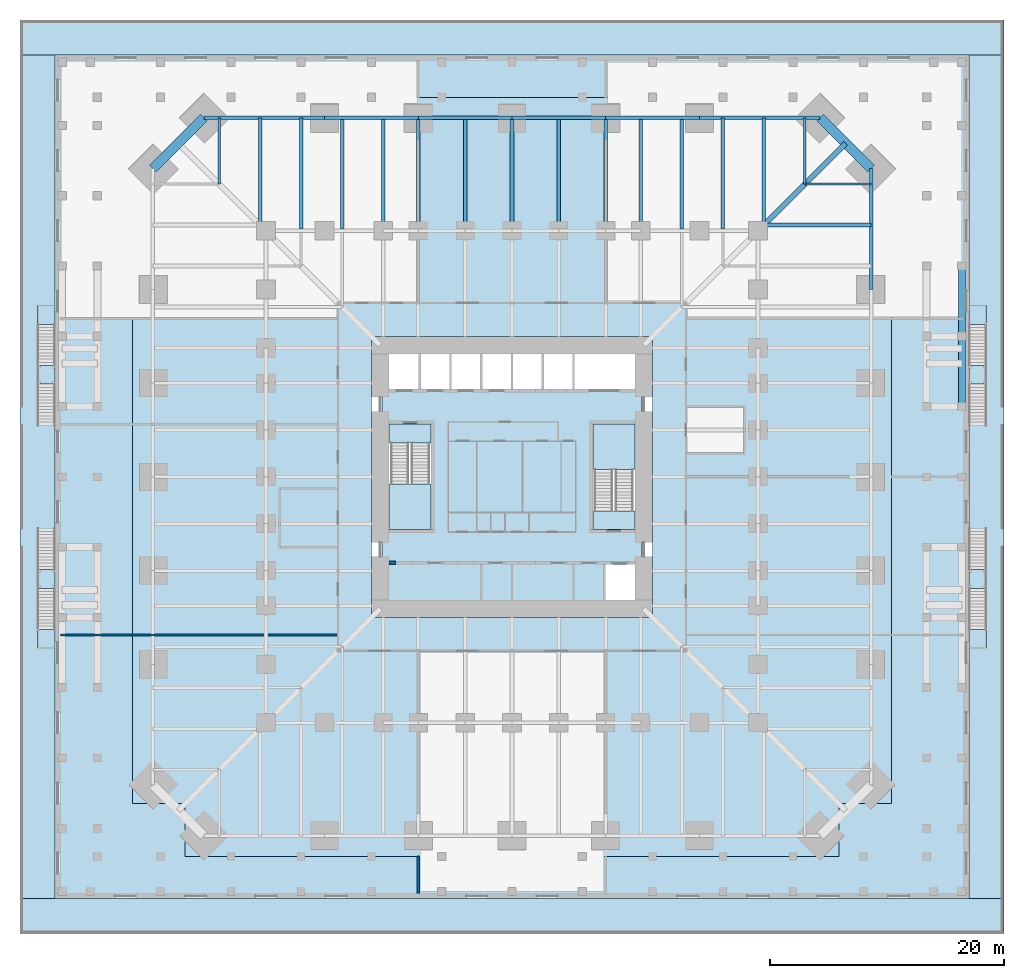
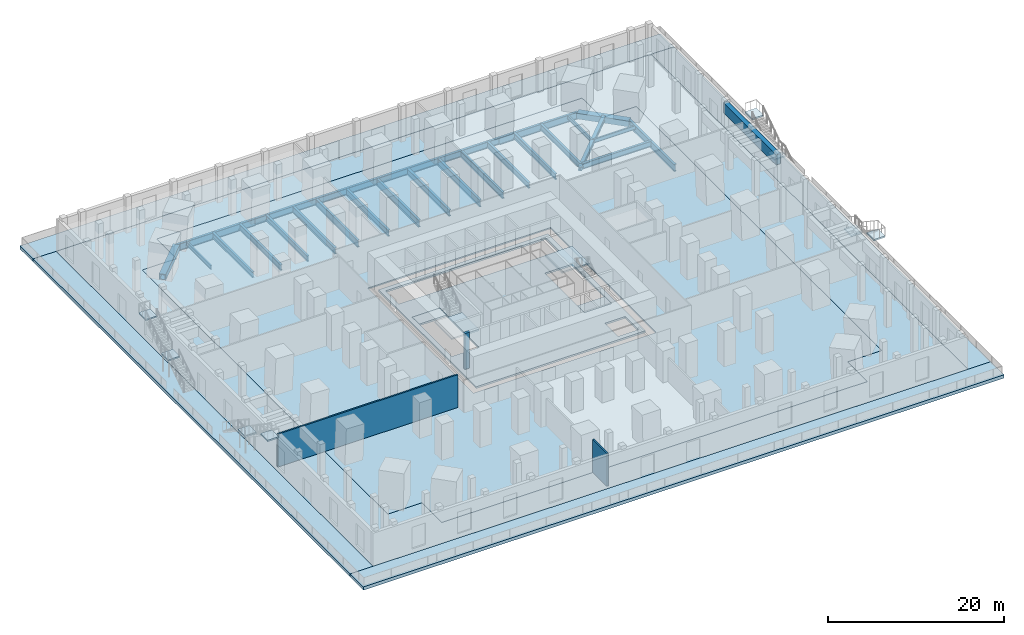
# One storey, part 10 of 22: 28 beams, 19 slabs, 3 walls, 6 elements without a shape of their own.
"""IFC4 building model written with IfcOpenShell, lengths in metres."""

from ifc_helpers import new_model, si_unit, direction, frame, frame_2d, origin, origin_2d, place, context, subcontext, project, spatial, polyline, rectangle, hollow_rectangle, i_section, outline, extrude, boolean, material, layer, layer_set, material_profile, profile_set, type_object, element, aggregate, save


model = new_model("IFC4")

# Units and contexts
model_context = context("Model", 3, precision=1e-05, world=origin(), true_north=direction((0.0, 1.0)))
body_context = subcontext(model_context, "Body", "Model", "MODEL_VIEW")
ifc_project = project(units=[si_unit("LENGTHUNIT", "METRE"), si_unit("AREAUNIT", "SQUARE_METRE"), si_unit("VOLUMEUNIT", "CUBIC_METRE"), si_unit("PLANEANGLEUNIT", "RADIAN"), si_unit("MASSUNIT", "GRAM", prefix="KILO")], contexts=[model_context])

# Site, building, storey
site_placement = place(None, origin())
site = spatial("IfcSite", under=ifc_project, at=site_placement, CompositionType="ELEMENT")
building_placement = place(site_placement, origin())
building = spatial("IfcBuilding", under=site, at=building_placement, Name="Peilmerk Tower", CompositionType="ELEMENT")
storey_placement = place(building_placement, frame((0.0, 0.0, 6.0)))
storey = spatial("IfcBuildingStorey", under=building, at=storey_placement, Name="L01", CompositionType="ELEMENT", Elevation=6.0)

# Beams
ifc_material_1 = material(Name="Steel S355", Category="steel")
ifc_material_profile_1 = material_profile(ifc_material_1, i_section(OverallWidth=0.2099609375, OverallDepth=0.550048828125, WebThickness=0.010986328125, FlangeThickness=0.01708984375, at=origin_2d()), Name="IPE 550")
ifc_profile_set_1 = profile_set([ifc_material_profile_1], Name="Steel S355")
beam_type_1 = type_object("IfcBeamType", Name="B12 IPE 550 floor beam", PredefinedType="BEAM", material=ifc_profile_set_1)
for number, where, z_axis, x_axis, name in (
    (1, (25.0, 25.0, -0.47509765625), (0.0, 1.0, 0.0), (-1.0, 0.0, 0.0), "Floor beam L01"),
    (2, (25.0, 25.0, -0.47509765625), (1.0, 0.0, 0.0), (0.0, 1.0, 0.0), "Floor beam L01"),
    (3, (-25.0, 25.0, -0.47509765625), (0.0, 1.0, 0.0), (-1.0, 0.0, 0.0), "Floor beam L01"),
):
    element("IfcBeam", number, at=place(storey_placement, frame(where, z_axis=z_axis, x_axis=x_axis)), inside=storey, type_object=beam_type_1, Name=name, PredefinedType="BEAM", context=body_context, shape_type="SweptSolid", body=[
        extrude(i_section(OverallWidth=0.2099609375, OverallDepth=0.550048828125, WebThickness=0.010986328125, FlangeThickness=0.01708984375, at=origin_2d()), origin(), (0.0, 0.0, 1.0), 5.65478515625),
    ])
ifc_material_profile_2 = material_profile(ifc_material_1, i_section(OverallWidth=0.300048828125, OverallDepth=1.0, WebThickness=0.01904296875, FlangeThickness=0.035888671875, at=origin_2d()), Name="HEB 1000")
ifc_profile_set_2 = profile_set([ifc_material_profile_2], Name="Steel S355")
beam_type_2 = type_object("IfcBeamType", Name="B13 HEB 1000 edge beam", PredefinedType="SPANDREL", material=ifc_profile_set_2)
for number, where, z_axis, x_axis, name in (
    (4, (26.304931640625, 30.65478515625, -0.699951171875), (-1.0, 0.0, 0.0), (0.0, -1.0, 0.0), "Edge beam L01"),
    (5, (-16.0, 30.65478515625, -0.699951171875), (-1.0, 0.0, 0.0), (0.0, -1.0, 0.0), "Edge beam L01"),
    (6, (30.65478515625, 16.0, -0.699951171875), (0.0, 1.0, 0.0), (-1.0, 0.0, 0.0), "Edge beam L01"),
):
    element("IfcBeam", number, at=place(storey_placement, frame(where, z_axis=z_axis, x_axis=x_axis)), inside=storey, type_object=beam_type_2, Name=name, PredefinedType="SPANDREL", context=body_context, shape_type="SweptSolid", body=[
        extrude(i_section(OverallWidth=0.300048828125, OverallDepth=1.0, WebThickness=0.01904296875, FlangeThickness=0.035888671875, at=origin_2d()), origin(), (0.0, 0.0, 1.0), 10.304931640625),
    ])
ifc_material_profile_3 = material_profile(ifc_material_1, i_section(OverallWidth=0.300048828125, OverallDepth=0.989990234375, WebThickness=0.0166015625, FlangeThickness=0.031005859375, at=origin_2d()), Name="HEA 1000")
ifc_profile_set_3 = profile_set([ifc_material_profile_3], Name="Steel S355")
beam_type_3 = type_object("IfcBeamType", Name="B14 HEA 1000 floor girder", PredefinedType="BEAM", material=ifc_profile_set_3)
for number, where, z_axis, x_axis, name in (
    (7, (8.0, 21.0, -0.695068359375), (0.0, 1.0, 0.0), (-1.0, 0.0, 0.0), "Floor girder L01"),
    (8, (0.0, 21.0, -0.695068359375), (0.0, 1.0, 0.0), (-1.0, 0.0, 0.0), "Floor girder L01"),
    (9, (-8.0, 21.0, -0.695068359375), (0.0, 1.0, 0.0), (-1.0, 0.0, 0.0), "Floor girder L01"),
):
    element("IfcBeam", number, at=place(storey_placement, frame(where, z_axis=z_axis, x_axis=x_axis)), inside=storey, type_object=beam_type_3, Name=name, PredefinedType="BEAM", context=body_context, shape_type="SweptSolid", body=[
        extrude(i_section(OverallWidth=0.300048828125, OverallDepth=0.989990234375, WebThickness=0.0166015625, FlangeThickness=0.031005859375, at=origin_2d()), origin(), (0.0, 0.0, 1.0), 9.65478515625),
    ])
ifc_material_profile_4 = material_profile(ifc_material_1, i_section(OverallWidth=0.302001953125, OverallDepth=0.909912109375, WebThickness=0.02099609375, FlangeThickness=0.0400390625, at=origin_2d()), Name="HEM 900")
ifc_profile_set_4 = profile_set([ifc_material_profile_4], Name="Steel S355")
beam_type_4 = type_object("IfcBeamType", Name="B2 HEM 900 edge beam", PredefinedType="SPANDREL", material=ifc_profile_set_4)
for number, where, z_axis, x_axis, name in (
    (10, (16.0, 30.65478515625, -0.655029296875), (-1.0, 0.0, 0.0), (0.0, -1.0, 0.0), "Edge beam L01"),
    (11, (8.0, 30.65478515625, -0.655029296875), (-1.0, 0.0, 0.0), (0.0, -1.0, 0.0), "Edge beam L01"),
    (12, (0.0, 30.65478515625, -0.655029296875), (-1.0, 0.0, 0.0), (0.0, -1.0, 0.0), "Edge beam L01"),
    (13, (-8.0, 30.65478515625, -0.655029296875), (-1.0, 0.0, 0.0), (0.0, -1.0, 0.0), "Edge beam L01"),
):
    element("IfcBeam", number, at=place(storey_placement, frame(where, z_axis=z_axis, x_axis=x_axis)), inside=storey, type_object=beam_type_4, Name=name, PredefinedType="SPANDREL", context=body_context, shape_type="SweptSolid", body=[
        extrude(i_section(OverallWidth=0.302001953125, OverallDepth=0.909912109375, WebThickness=0.02099609375, FlangeThickness=0.0400390625, at=origin_2d()), origin(), (0.0, 0.0, 1.0), 8.0),
    ])
ifc_material_profile_5 = material_profile(ifc_material_1, i_section(OverallWidth=0.300048828125, OverallDepth=0.7900390625, WebThickness=0.014892578125, FlangeThickness=0.028076171875, at=origin_2d()), Name="HEA 800")
ifc_profile_set_5 = profile_set([ifc_material_profile_5], Name="Steel S355")
beam_type_5 = type_object("IfcBeamType", Name="B3 HEA 800 floor beam", PredefinedType="BEAM", material=ifc_profile_set_5)
for number, where, z_axis, x_axis, name in (
    (14, (14.5, 21.152587890625, -0.594970703125), (0.0, 1.0, 0.0), (-1.0, 0.0, 0.0), "Floor beam L01"),
    (15, (18.0, 21.152587890625, -0.594970703125), (0.0, 1.0, 0.0), (-1.0, 0.0, 0.0), "Floor beam L01"),
):
    element("IfcBeam", number, at=place(storey_placement, frame(where, z_axis=z_axis, x_axis=x_axis)), inside=storey, type_object=beam_type_5, Name=name, PredefinedType="BEAM", context=body_context, shape_type="SweptSolid", body=[
        extrude(i_section(OverallWidth=0.300048828125, OverallDepth=0.7900390625, WebThickness=0.014892578125, FlangeThickness=0.028076171875, at=origin_2d()), origin(), (0.0, 0.0, 1.0), 9.502197265625),
    ])
for number, where, z_axis, x_axis, name in (
    (16, (21.5, 21.5, -0.594970703125), (0.0, 1.0, 0.0), (-1.0, 0.0, 0.0), "Floor beam L01"),
    (17, (21.5, 21.5, -0.594970703125), (1.0, 0.0, 0.0), (0.0, 1.0, 0.0), "Floor beam L01"),
):
    element("IfcBeam", number, at=place(storey_placement, frame(where, z_axis=z_axis, x_axis=x_axis)), inside=storey, type_object=beam_type_5, Name=name, PredefinedType="BEAM", context=body_context, shape_type="SweptSolid", body=[
        extrude(i_section(OverallWidth=0.300048828125, OverallDepth=0.7900390625, WebThickness=0.014892578125, FlangeThickness=0.028076171875, at=origin_2d()), origin(), (0.0, 0.0, 1.0), 9.15478515625),
    ])
for number, where, z_axis, x_axis, name in (
    (18, (-14.5, 21.152587890625, -0.594970703125), (0.0, 1.0, 0.0), (-1.0, 0.0, 0.0), "Floor beam L01"),
    (19, (-18.0, 21.152587890625, -0.594970703125), (0.0, 1.0, 0.0), (-1.0, 0.0, 0.0), "Floor beam L01"),
):
    element("IfcBeam", number, at=place(storey_placement, frame(where, z_axis=z_axis, x_axis=x_axis)), inside=storey, type_object=beam_type_5, Name=name, PredefinedType="BEAM", context=body_context, shape_type="SweptSolid", body=[
        extrude(i_section(OverallWidth=0.300048828125, OverallDepth=0.7900390625, WebThickness=0.014892578125, FlangeThickness=0.028076171875, at=origin_2d()), origin(), (0.0, 0.0, 1.0), 9.502197265625),
    ])
beam_1_placement = place(storey_placement, frame((-21.5, 21.5, -0.594970703125), z_axis=(0.0, 1.0, 0.0), x_axis=(-1.0, 0.0, 0.0)))
element("IfcBeam", 20, at=beam_1_placement, inside=storey, type_object=beam_type_5, Name="Floor beam L01", PredefinedType="BEAM", context=body_context, shape_type="SweptSolid", body=[
    extrude(i_section(OverallWidth=0.300048828125, OverallDepth=0.7900390625, WebThickness=0.014892578125, FlangeThickness=0.028076171875, at=origin_2d()), origin(), (0.0, 0.0, 1.0), 9.15478515625),
])
ifc_material_profile_6 = material_profile(ifc_material_1, i_section(OverallWidth=0.300048828125, OverallDepth=0.889892578125, WebThickness=0.01611328125, FlangeThickness=0.030029296875, at=origin_2d()), Name="HEA 900")
ifc_profile_set_6 = profile_set([ifc_material_profile_6], Name="Steel S355")
beam_type_6 = type_object("IfcBeamType", Name="B4 HEA 900 floor beam", PredefinedType="BEAM", material=ifc_profile_set_6)
for number, where, z_axis, x_axis, name in (
    (21, (11.0, 21.0, -0.64501953125), (0.0, 1.0, 0.0), (-1.0, 0.0, 0.0), "Floor beam L01"),
    (22, (4.0, 21.0, -0.64501953125), (0.0, 1.0, 0.0), (-1.0, 0.0, 0.0), "Floor beam L01"),
    (23, (-4.0, 21.0, -0.64501953125), (0.0, 1.0, 0.0), (-1.0, 0.0, 0.0), "Floor beam L01"),
    (24, (-11.0, 21.0, -0.64501953125), (0.0, 1.0, 0.0), (-1.0, 0.0, 0.0), "Floor beam L01"),
):
    element("IfcBeam", number, at=place(storey_placement, frame(where, z_axis=z_axis, x_axis=x_axis)), inside=storey, type_object=beam_type_6, Name=name, PredefinedType="BEAM", context=body_context, shape_type="SweptSolid", body=[
        extrude(i_section(OverallWidth=0.300048828125, OverallDepth=0.889892578125, WebThickness=0.01611328125, FlangeThickness=0.030029296875, at=origin_2d()), origin(), (0.0, 0.0, 1.0), 9.65478515625),
    ])
ifc_material_2 = material(Name="Steel S460", Category="steel")
ifc_material_profile_7 = material_profile(ifc_material_2, hollow_rectangle(XDim=0.800048828125, YDim=0.800048828125, WallThickness=0.080078125, at=origin_2d()), Name="BOX 800x800x80")
ifc_profile_set_7 = profile_set([ifc_material_profile_7], Name="Steel S460")
beam_type_7 = type_object("IfcBeamType", Name="B8 BOX 800x800x80 notch beam", PredefinedType="SPANDREL", material=ifc_profile_set_7)
for number, where, z_axis, x_axis, name in (
    (25, (26.304931640625, 30.65478515625, -0.60009765625), (0.707106781187, -0.707106781187, 0.0), (0.707106781187, 0.707106781187, 0.0), "Notch beam L01"),
    (26, (-30.65478515625, 26.304931640625, -0.60009765625), (0.707106781187, 0.707106781187, 0.0), (-0.707106781187, 0.707106781187, 0.0), "Notch beam L01"),
):
    element("IfcBeam", number, at=place(storey_placement, frame(where, z_axis=z_axis, x_axis=x_axis)), inside=storey, type_object=beam_type_7, Name=name, PredefinedType="SPANDREL", context=body_context, shape_type="SweptSolid", body=[
        extrude(hollow_rectangle(XDim=0.800048828125, YDim=0.800048828125, WallThickness=0.080078125, at=origin_2d()), origin(), (0.0, 0.0, 1.0), 6.151611328125),
    ])
ifc_material_profile_8 = material_profile(ifc_material_2, i_section(OverallWidth=0.4541015625, OverallDepth=0.569091796875, WebThickness=0.077880859375, FlangeThickness=0.125, at=origin_2d()), Name="HD 400x1086")
ifc_profile_set_8 = profile_set([ifc_material_profile_8], Name="Steel S460")
beam_type_8 = type_object("IfcBeamType", Name="B9 HD 400x1086 corner girder", PredefinedType="BEAM", material=ifc_profile_set_8)
beam_2_placement = place(storey_placement, frame((21.0, 21.0, -0.484619140625), z_axis=(0.707106781187, 0.707106781187, 0.0), x_axis=(-0.707106781187, 0.707106781187, 0.0)))
element("IfcBeam", 27, at=beam_2_placement, inside=storey, type_object=beam_type_8, Name="Corner girder L01", PredefinedType="BEAM", context=body_context, shape_type="SweptSolid", body=[
    extrude(i_section(OverallWidth=0.4541015625, OverallDepth=0.569091796875, WebThickness=0.077880859375, FlangeThickness=0.125, at=origin_2d()), origin(), (0.0, 0.0, 1.0), 10.577880859375),
])
ifc_material_3 = material(Name="Concrete C35/45", Category="concrete")
ifc_material_profile_9 = material_profile(ifc_material_3, rectangle(XDim=0.60009765625, YDim=1.39990234375, at=origin_2d()), Name="RC 600x1400")
ifc_profile_set_9 = profile_set([ifc_material_profile_9], Name="Concrete C35/45")
beam_type_9 = type_object("IfcBeamType", Name="TB1 600x1400 stair transfer beam", PredefinedType="BEAM", material=ifc_profile_set_9)
beam_3_placement = place(storey_placement, frame((38.39990234375, 6.0, 3.85009765625), z_axis=(0.0, 1.0, 0.0), x_axis=(-1.0, 0.0, 0.0)))
element("IfcBeam", 28, at=beam_3_placement, inside=storey, type_object=beam_type_9, Name="External stair 3 transfer beam", PredefinedType="BEAM", context=body_context, shape_type="SweptSolid", body=[
    extrude(rectangle(XDim=0.60009765625, YDim=1.39990234375, at=origin_2d()), origin(), (0.0, 0.0, 1.0), 12.0),
])

# Slabs
ifc_material_4 = material(Name="Concrete C55/67", Category="concrete")
ifc_layer_1 = layer(ifc_material_4, 0.25)
ifc_layer_set_1 = layer_set([ifc_layer_1], Name="Concrete C55/67")
slab_type_1 = type_object("IfcSlabType", Name="CS250 250 core floor slab", PredefinedType="FLOOR", material=ifc_layer_set_1)
slab_1_placement = place(storey_placement, frame((0.0, 0.0, -0.25)))
element("IfcSlab", 29, at=slab_1_placement, inside=storey, type_object=slab_type_1, Name="Core slab L01", PredefinedType="FLOOR", context=body_context, shape_type="SweptSolid", body=[
    extrude(outline(polyline([(-11.10009765625, 11.10009765625), (-11.10009765625, -11.10009765625), (11.10009765625, -11.10009765625), (11.10009765625, 11.10009765625), (-11.10009765625, 11.10009765625)]), holes=[polyline([(10.5, 7.5), (-10.5, 7.5), (-10.5, 10.5), (10.5, 10.5), (10.5, 7.5)]), polyline([(7.875, -10.5), (7.875, -7.5), (10.5, -7.5), (10.5, -10.5), (7.875, -10.5)]), polyline([(-10.5, 4.5), (-6.89990234375, 4.5), (-6.89990234375, -4.5), (-10.5, -4.5), (-10.5, 4.5)]), polyline([(10.5, 4.5), (10.5, -4.5), (6.89990234375, -4.5), (6.89990234375, 4.5), (10.5, 4.5)])]), origin(), (0.0, 0.0, 1.0), 0.25),
])
ifc_layer_2 = layer(ifc_material_3, 0.199951171875)
ifc_layer_set_2 = layer_set([ifc_layer_2], Name="Concrete C35/45")
slab_type_2 = type_object("IfcSlabType", Name="FS200 200 composite floor slab", PredefinedType="FLOOR", material=ifc_layer_set_2)
slab_2_placement = place(storey_placement, frame((0.0, 0.0, -0.199951171875)))
element("IfcSlab", 30, at=slab_2_placement, inside=storey, type_object=slab_type_2, Name="Floor slab L01", PredefinedType="FLOOR", context=body_context, shape_type="SweptSolid", body=[
    extrude(outline(polyline([(-27.89990234375, -32.39990234375), (27.89990234375, -32.39990234375), (27.89990234375, -27.89990234375), (32.39990234375, -27.89990234375), (32.39990234375, 27.89990234375), (27.89990234375, 27.89990234375), (27.89990234375, 32.39990234375), (-27.89990234375, 32.39990234375), (-27.89990234375, 27.89990234375), (-32.39990234375, 27.89990234375), (-32.39990234375, -27.89990234375), (-27.89990234375, -27.89990234375), (-27.89990234375, -32.39990234375)]), holes=[polyline([(12.0, 12.0), (12.0, -12.0), (-12.0, -12.0), (-12.0, 12.0), (12.0, 12.0)])]), origin(), (0.0, 0.0, 1.0), 0.199951171875),
])
ifc_layer_3 = layer(ifc_material_3, 0.449951171875)
ifc_layer_set_3 = layer_set([ifc_layer_3], Name="Concrete C35/45")
slab_type_3 = type_object("IfcSlabType", Name="PS450 450 podium flat slab", PredefinedType="FLOOR", material=ifc_layer_set_3)
slab_3_placement = place(storey_placement, frame((0.0, 0.0, -0.449951171875)))
element("IfcSlab", 31, at=slab_3_placement, inside=storey, type_object=slab_type_3, Name="Podium slab L01", PredefinedType="FLOOR", context=body_context, shape_type="CSG", body=[
    boolean("DIFFERENCE", boolean("DIFFERENCE", boolean("DIFFERENCE", boolean("DIFFERENCE", extrude(outline(polyline([(-39.0, 36.0), (-39.0, -36.0), (39.0, -36.0), (39.0, 36.0), (-39.0, 36.0)]), holes=[polyline([(27.89990234375, -27.89990234375), (27.89990234375, -32.39990234375), (-27.89990234375, -32.39990234375), (-27.89990234375, -27.89990234375), (-32.39990234375, -27.89990234375), (-32.39990234375, 27.89990234375), (-27.89990234375, 27.89990234375), (-27.89990234375, 32.39990234375), (27.89990234375, 32.39990234375), (27.89990234375, 27.89990234375), (32.39990234375, 27.89990234375), (32.39990234375, -27.89990234375), (27.89990234375, -27.89990234375)])]), origin(), (0.0, 0.0, 1.0), 0.449951171875), extrude(outline(polyline([(28.493896484375, 27.89990234375), (27.89990234375, 28.493896484375), (27.89990234375, 29.62548828125), (29.62548828125, 27.89990234375), (28.493896484375, 27.89990234375)])), frame((0.0, 0.0, -0.010009765625)), (0.0, 0.0, 1.0), 0.260009765625)), extrude(outline(polyline([(29.62548828125, -27.89990234375), (27.89990234375, -29.62548828125), (27.89990234375, -28.493896484375), (28.493896484375, -27.89990234375), (29.62548828125, -27.89990234375)])), frame((0.0, 0.0, -0.010009765625)), (0.0, 0.0, 1.0), 0.260009765625)), extrude(outline(polyline([(-28.493896484375, -27.89990234375), (-27.89990234375, -28.493896484375), (-27.89990234375, -29.62548828125), (-29.62548828125, -27.89990234375), (-28.493896484375, -27.89990234375)])), frame((0.0, 0.0, -0.010009765625)), (0.0, 0.0, 1.0), 0.260009765625)), extrude(outline(polyline([(-27.89990234375, 28.493896484375), (-28.493896484375, 27.89990234375), (-29.62548828125, 27.89990234375), (-27.89990234375, 29.62548828125), (-27.89990234375, 28.493896484375)])), frame((0.0, 0.0, -0.010009765625)), (0.0, 0.0, 1.0), 0.260009765625)),
])

# Stair, slab
ifc_material_5 = material(Name="Precast concrete C45/55", Category="concrete")
stair_type_1 = type_object("IfcStairType", Name="ST1 28 risers of 178.6", PredefinedType="HALF_TURN_STAIR", material=ifc_material_5)
stair_1_placement = place(storey_placement, origin())
stair_1 = element("IfcStair", 32, at=stair_1_placement, inside=storey, type_object=stair_type_1, Name="Stair 1 L01 to L02", PredefinedType="HALF_TURN_STAIR")
ifc_layer_4 = layer(ifc_material_3, 0.199951171875)
ifc_layer_set_4 = layer_set([ifc_layer_4], Name="Concrete C35/45")
slab_type_4 = type_object("IfcSlabType", Name="SL1 200 concrete stair landing", PredefinedType="LANDING", material=ifc_layer_set_4)
slab_4_placement = place(storey_placement, frame((0.0, 0.0, 2.300048828125)))
slab_4 = element("IfcSlab", 33, at=slab_4_placement, type_object=slab_type_4, Name="ST1 landing 1", PredefinedType="LANDING", context=body_context, shape_type="SweptSolid", body=[
    extrude(outline(polyline([(-10.5, -4.5), (-6.89990234375, -4.5), (-6.89990234375, -0.610107421875), (-10.5, -0.610107421875), (-10.5, -4.5)])), origin(), (0.0, 0.0, 1.0), 0.199951171875),
])

stair_type_2 = type_object("IfcStairType", Name="ST2 28 risers of 178.6", PredefinedType="HALF_TURN_STAIR", material=ifc_material_5)
stair_2_placement = place(storey_placement, origin())
stair_2 = element("IfcStair", 34, at=stair_2_placement, inside=storey, type_object=stair_type_2, Name="Stair 2 L01 to L02", PredefinedType="HALF_TURN_STAIR")
slab_5_placement = place(storey_placement, frame((0.0, 0.0, 2.300048828125)))
slab_5 = element("IfcSlab", 35, at=slab_5_placement, type_object=slab_type_4, Name="ST2 landing 1", PredefinedType="LANDING", context=body_context, shape_type="SweptSolid", body=[
    extrude(outline(polyline([(6.89990234375, 0.610107421875), (10.5, 0.610107421875), (10.5, 4.5), (6.89990234375, 4.5), (6.89990234375, 0.610107421875)])), origin(), (0.0, 0.0, 1.0), 0.199951171875),
])

# Stair, slabs
stair_type_3 = type_object("IfcStairType", Name="ST3 28 risers of 178.6, two straight flights", PredefinedType="TWO_STRAIGHT_RUN_STAIR", material=ifc_material_5)
stair_3_placement = place(storey_placement, origin())
stair_3 = element("IfcStair", 36, at=stair_3_placement, inside=storey, type_object=stair_type_3, Name="External stair 3 L01 to L02", PredefinedType="TWO_STRAIGHT_RUN_STAIR")
slab_6_placement = place(storey_placement, frame((0.0, 0.0, 2.300048828125)))
slab_6 = element("IfcSlab", 37, at=slab_6_placement, type_object=slab_type_4, Name="ST3 landing 1", PredefinedType="LANDING", context=body_context, shape_type="SweptSolid", body=[
    extrude(outline(polyline([(39.0, 7.909912109375), (40.5, 7.909912109375), (40.5, 9.510009765625), (39.0, 9.510009765625), (39.0, 7.909912109375)])), origin(), (0.0, 0.0, 1.0), 0.199951171875),
])
slab_7_placement = place(storey_placement, frame((0.0, 0.0, 4.800048828125)))
slab_7 = element("IfcSlab", 38, at=slab_7_placement, type_object=slab_type_4, Name="ST3 landing 2", PredefinedType="LANDING", context=body_context, shape_type="SweptSolid", body=[
    extrude(outline(polyline([(39.0, 13.02001953125), (40.5, 13.02001953125), (40.5, 14.6201171875), (39.0, 14.6201171875), (39.0, 13.02001953125)])), origin(), (0.0, 0.0, 1.0), 0.199951171875),
])
aggregate(stair_3, [slab_6, slab_7])

stair_type_4 = type_object("IfcStairType", Name="ST4 28 risers of 178.6, two straight flights", PredefinedType="TWO_STRAIGHT_RUN_STAIR", material=ifc_material_5)
stair_4_placement = place(storey_placement, origin())
stair_4 = element("IfcStair", 39, at=stair_4_placement, inside=storey, type_object=stair_type_4, Name="External stair 4 L01 to L02", PredefinedType="TWO_STRAIGHT_RUN_STAIR")
slab_8_placement = place(storey_placement, frame((0.0, 0.0, 2.300048828125)))
slab_8 = element("IfcSlab", 40, at=slab_8_placement, type_object=slab_type_4, Name="ST4 landing 1", PredefinedType="LANDING", context=body_context, shape_type="SweptSolid", body=[
    extrude(outline(polyline([(39.0, -9.510009765625), (40.5, -9.510009765625), (40.5, -7.909912109375), (39.0, -7.909912109375), (39.0, -9.510009765625)])), origin(), (0.0, 0.0, 1.0), 0.199951171875),
])
slab_9_placement = place(storey_placement, frame((0.0, 0.0, 4.800048828125)))
slab_9 = element("IfcSlab", 41, at=slab_9_placement, type_object=slab_type_4, Name="ST4 landing 2", PredefinedType="LANDING", context=body_context, shape_type="SweptSolid", body=[
    extrude(outline(polyline([(39.0, -14.6201171875), (40.5, -14.6201171875), (40.5, -13.02001953125), (39.0, -13.02001953125), (39.0, -14.6201171875)])), origin(), (0.0, 0.0, 1.0), 0.199951171875),
])
aggregate(stair_4, [slab_8, slab_9])

stair_type_5 = type_object("IfcStairType", Name="ST5 28 risers of 178.6, two straight flights", PredefinedType="TWO_STRAIGHT_RUN_STAIR", material=ifc_material_5)
stair_5_placement = place(storey_placement, origin())
stair_5 = element("IfcStair", 42, at=stair_5_placement, inside=storey, type_object=stair_type_5, Name="External stair 5 L01 to L02", PredefinedType="TWO_STRAIGHT_RUN_STAIR")
slab_10_placement = place(storey_placement, frame((0.0, 0.0, 2.300048828125)))
slab_10 = element("IfcSlab", 43, at=slab_10_placement, type_object=slab_type_4, Name="ST5 landing 1", PredefinedType="LANDING", context=body_context, shape_type="SweptSolid", body=[
    extrude(outline(polyline([(-40.5, 7.909912109375), (-39.0, 7.909912109375), (-39.0, 9.510009765625), (-40.5, 9.510009765625), (-40.5, 7.909912109375)])), origin(), (0.0, 0.0, 1.0), 0.199951171875),
])
slab_11_placement = place(storey_placement, frame((0.0, 0.0, 4.800048828125)))
slab_11 = element("IfcSlab", 44, at=slab_11_placement, type_object=slab_type_4, Name="ST5 landing 2", PredefinedType="LANDING", context=body_context, shape_type="SweptSolid", body=[
    extrude(outline(polyline([(-40.5, 13.02001953125), (-39.0, 13.02001953125), (-39.0, 14.6201171875), (-40.5, 14.6201171875), (-40.5, 13.02001953125)])), origin(), (0.0, 0.0, 1.0), 0.199951171875),
])
aggregate(stair_5, [slab_10, slab_11])

stair_type_6 = type_object("IfcStairType", Name="ST6 28 risers of 178.6, two straight flights", PredefinedType="TWO_STRAIGHT_RUN_STAIR", material=ifc_material_5)
stair_6_placement = place(storey_placement, origin())
stair_6 = element("IfcStair", 45, at=stair_6_placement, inside=storey, type_object=stair_type_6, Name="External stair 6 L01 to L02", PredefinedType="TWO_STRAIGHT_RUN_STAIR")
slab_12_placement = place(storey_placement, frame((0.0, 0.0, 2.300048828125)))
slab_12 = element("IfcSlab", 46, at=slab_12_placement, type_object=slab_type_4, Name="ST6 landing 1", PredefinedType="LANDING", context=body_context, shape_type="SweptSolid", body=[
    extrude(outline(polyline([(-40.5, -9.510009765625), (-39.0, -9.510009765625), (-39.0, -7.909912109375), (-40.5, -7.909912109375), (-40.5, -9.510009765625)])), origin(), (0.0, 0.0, 1.0), 0.199951171875),
])
slab_13_placement = place(storey_placement, frame((0.0, 0.0, 4.800048828125)))
slab_13 = element("IfcSlab", 47, at=slab_13_placement, type_object=slab_type_4, Name="ST6 landing 2", PredefinedType="LANDING", context=body_context, shape_type="SweptSolid", body=[
    extrude(outline(polyline([(-40.5, -14.6201171875), (-39.0, -14.6201171875), (-39.0, -13.02001953125), (-40.5, -13.02001953125), (-40.5, -14.6201171875)])), origin(), (0.0, 0.0, 1.0), 0.199951171875),
])
aggregate(stair_6, [slab_12, slab_13])

# Slab
ifc_layer_5 = layer(ifc_material_3, 0.25)
ifc_layer_set_5 = layer_set([ifc_layer_5], Name="Concrete C35/45")
slab_type_5 = type_object("IfcSlabType", Name="SL2 250 concrete floor landing", PredefinedType="LANDING", material=ifc_layer_set_5)
slab_14_placement = place(storey_placement, frame((0.0, 0.0, -0.25)))
slab_14 = element("IfcSlab", 48, at=slab_14_placement, type_object=slab_type_5, Name="ST1 floor landing", PredefinedType="LANDING", context=body_context, shape_type="SweptSolid", body=[
    extrude(outline(polyline([(-10.5, 2.89990234375), (-6.89990234375, 2.89990234375), (-6.89990234375, 4.5), (-10.5, 4.5), (-10.5, 2.89990234375)])), origin(), (0.0, 0.0, 1.0), 0.25),
])

aggregate(stair_1, [slab_4, slab_14])

slab_15_placement = place(storey_placement, frame((0.0, 0.0, -0.25)))
slab_15 = element("IfcSlab", 49, at=slab_15_placement, type_object=slab_type_5, Name="ST2 floor landing", PredefinedType="LANDING", context=body_context, shape_type="SweptSolid", body=[
    extrude(outline(polyline([(6.89990234375, -4.5), (10.5, -4.5), (10.5, -2.89990234375), (6.89990234375, -2.89990234375), (6.89990234375, -4.5)])), origin(), (0.0, 0.0, 1.0), 0.25),
])

aggregate(stair_2, [slab_5, slab_15])

# Slabs
ifc_layer_6 = layer(ifc_material_3, 0.449951171875)
ifc_layer_set_6 = layer_set([ifc_layer_6], Name="Concrete C35/45")
slab_type_6 = type_object("IfcSlabType", Name="TS450 450 terrace roof slab", PredefinedType="ROOF", material=ifc_layer_set_6)
slab_16_placement = place(storey_placement, frame((0.0, 0.0, -0.449951171875)))
element("IfcSlab", 50, at=slab_16_placement, inside=storey, type_object=slab_type_6, Name="Terrace slab L01 N", PredefinedType="ROOF", context=body_context, shape_type="SweptSolid", body=[
    extrude(outline(polyline([(42.0, 39.0), (-42.0, 39.0), (-42.0, 36.0), (42.0, 36.0), (42.0, 39.0)])), origin(), (0.0, 0.0, 1.0), 0.449951171875),
])
slab_17_placement = place(storey_placement, frame((0.0, 0.0, -0.449951171875)))
element("IfcSlab", 51, at=slab_17_placement, inside=storey, type_object=slab_type_6, Name="Terrace slab L01 S", PredefinedType="ROOF", context=body_context, shape_type="SweptSolid", body=[
    extrude(outline(polyline([(42.0, -39.0), (42.0, -36.0), (-42.0, -36.0), (-42.0, -39.0), (42.0, -39.0)])), origin(), (0.0, 0.0, 1.0), 0.449951171875),
])
slab_18_placement = place(storey_placement, frame((0.0, 0.0, -0.449951171875)))
element("IfcSlab", 52, at=slab_18_placement, inside=storey, type_object=slab_type_6, Name="Terrace slab L01 E", PredefinedType="ROOF", context=body_context, shape_type="SweptSolid", body=[
    extrude(outline(polyline([(42.0, -36.0), (42.0, 36.0), (39.0, 36.0), (39.0, -36.0), (42.0, -36.0)])), origin(), (0.0, 0.0, 1.0), 0.449951171875),
])
slab_19_placement = place(storey_placement, frame((0.0, 0.0, -0.449951171875)))
element("IfcSlab", 53, at=slab_19_placement, inside=storey, type_object=slab_type_6, Name="Terrace slab L01 W", PredefinedType="ROOF", context=body_context, shape_type="SweptSolid", body=[
    extrude(outline(polyline([(-42.0, 36.0), (-42.0, -36.0), (-39.0, -36.0), (-39.0, 36.0), (-42.0, 36.0)])), origin(), (0.0, 0.0, 1.0), 0.449951171875),
])

# Walls
ifc_material_6 = material(Name="Calcium silicate block", Category="masonry")
ifc_layer_7 = layer(ifc_material_6, 0.199951171875)
ifc_layer_set_7 = layer_set([ifc_layer_7], Name="Calcium silicate block")
wall_type_1 = type_object("IfcWallType", Name="IW2 200 room separating wall, EI 120", PredefinedType="PARTITIONING", material=ifc_layer_set_7)
wall_1_placement = place(storey_placement, frame((-14.925048828125, -13.5, 0.0), z_axis=(0.0, 0.0, 1.0), x_axis=(-1.0, 0.0, 0.0)))
element("IfcWall", 54, at=wall_1_placement, inside=storey, type_object=wall_type_1, Name="Room separating wall SW L01", PredefinedType="PARTITIONING", context=body_context, shape_type="SweptSolid", body=[
    extrude(rectangle(XDim=23.625, YDim=0.199951171875, at=frame_2d((11.8125, 0.0))), origin(), (0.0, 0.0, 1.0), 4.550048828125),
])
wall_2_placement = place(storey_placement, frame((-8.0, -32.351806640625, 0.0), z_axis=(0.0, 0.0, 1.0), x_axis=(0.0, -1.0, 0.0)))
element("IfcWall", 55, at=wall_2_placement, inside=storey, type_object=wall_type_1, Name="Room separating wall S1c L01", PredefinedType="PARTITIONING", context=body_context, shape_type="SweptSolid", body=[
    extrude(rectangle(XDim=3.1982421875, YDim=0.199951171875, at=frame_2d((1.59912109375, 0.0))), origin(), (0.0, 0.0, 1.0), 4.550048828125),
])
ifc_layer_8 = layer(ifc_material_4, 0.300048828125)
ifc_layer_set_8 = layer_set([ifc_layer_8], Name="Concrete C55/67")
wall_type_2 = type_object("IfcWallType", Name="SW2 300 lift bank pier", PredefinedType="SHEAR", material=ifc_layer_set_8)
wall_3_placement = place(storey_placement, frame((-10.5, -7.35009765625, 0.0), z_axis=(0.0, 0.0, 1.0), x_axis=(1.0, 0.0, 0.0)))
element("IfcWall", 56, at=wall_3_placement, inside=storey, type_object=wall_type_2, Name="Lift bank pier S L01", PredefinedType="SHEAR", context=body_context, shape_type="SweptSolid", body=[
    extrude(rectangle(XDim=0.612548828125, YDim=0.300048828125, at=frame_2d((0.30615234375, 0.0))), origin(), (0.0, 0.0, 1.0), 5.0),
])

save(model, "model.ifc")
